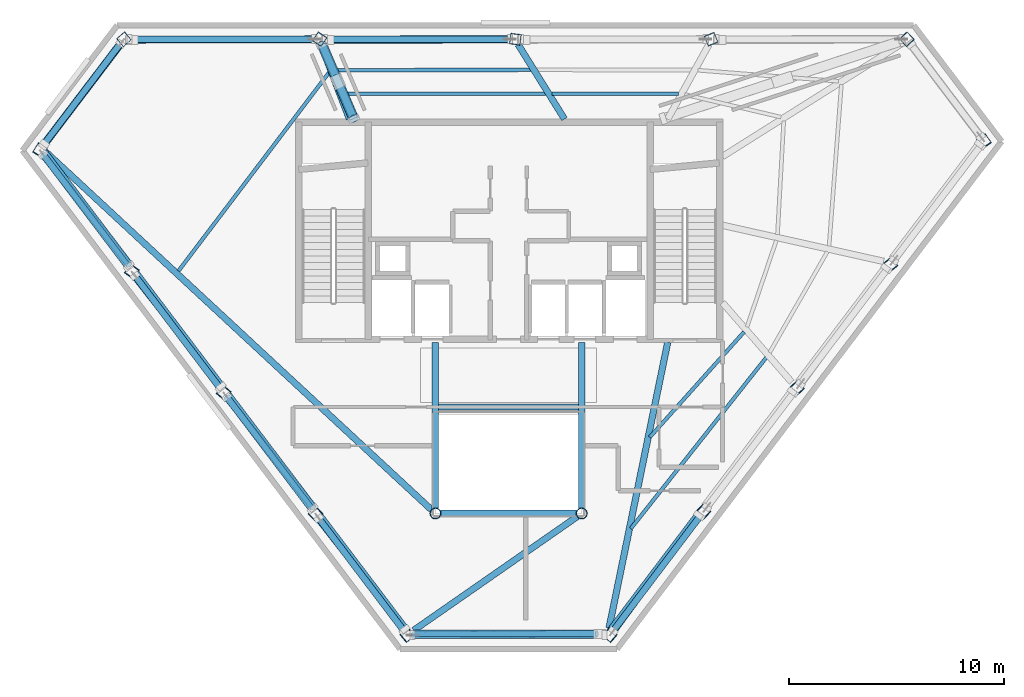
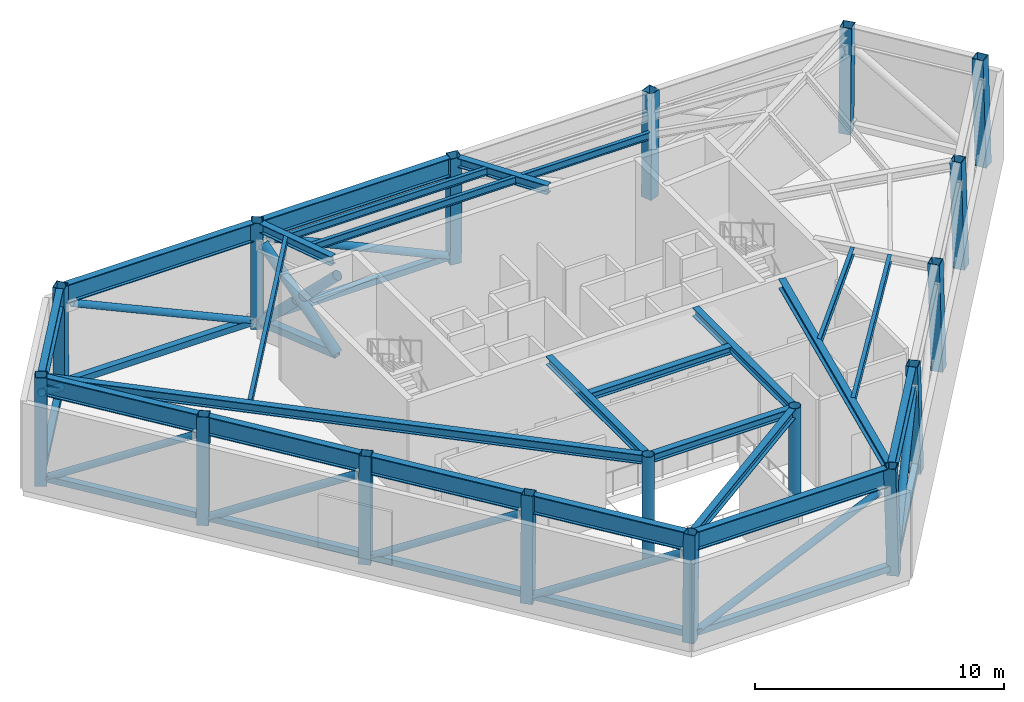
# One storey, part 1 of 9: 24 beams, 22 members, 17 columns.
"""IFC4 building model written with IfcOpenShell, lengths in metres."""

from ifc_helpers import new_model, si_unit, direction, frame, origin, origin_2d, place, context, subcontext, project, spatial, hollow_rectangle, hollow_circle, i_section, extrude, material, material_profile, profile_set, type_object, element, save


model = new_model("IFC4")

# Units and contexts
model_context = context("Model", 3, precision=1e-05, world=origin(), true_north=direction((0.0, 1.0)))
body_context = subcontext(model_context, "Body", "Model", "MODEL_VIEW")
ifc_project = project(units=[si_unit("LENGTHUNIT", "METRE"), si_unit("AREAUNIT", "SQUARE_METRE"), si_unit("VOLUMEUNIT", "CUBIC_METRE"), si_unit("PLANEANGLEUNIT", "RADIAN"), si_unit("MASSUNIT", "GRAM", prefix="KILO")], contexts=[model_context])

# Site, building, storey
site_placement = place(None, origin())
site = spatial("IfcSite", under=ifc_project, at=site_placement, CompositionType="ELEMENT")
building_placement = place(site_placement, origin())
building = spatial("IfcBuilding", under=site, at=building_placement, Name="Zarrinselat Tower", CompositionType="ELEMENT")
storey_placement = place(building_placement, frame((0.0, 0.0, 252.9599609375)))
storey = spatial("IfcBuildingStorey", under=building, at=storey_placement, Name="L64", CompositionType="ELEMENT", Elevation=252.9599609375)

# Columns
ifc_material_1 = material(Name="Steel S355J2", Category="steel")
ifc_material_profile_1 = material_profile(ifc_material_1, hollow_circle(Radius=0.25390625, WallThickness=0.02001953125, at=origin_2d()), Name="CHS 508x20")
ifc_profile_set_1 = profile_set([ifc_material_profile_1], Name="Steel S355J2")
column_type_1 = type_object("IfcColumnType", Name="COL-CHS508", PredefinedType="COLUMN", material=ifc_profile_set_1)
for number, where, z_axis, x_axis, name in (
    (1, (35.0, 25.199951171875, 0.0), (0.0, 0.0, 1.0), (1.0, 0.0, 0.0), "L64 Atrium Corner Column 1"),
    (2, (41.800048828125, 25.199951171875, 0.0), (0.0, 0.0, 1.0), (1.0, 0.0, 0.0), "L64 Atrium Corner Column 2"),
):
    element("IfcColumn", number, at=place(storey_placement, frame(where, z_axis=z_axis, x_axis=x_axis)), inside=storey, type_object=column_type_1, Name=name, PredefinedType="COLUMN", context=body_context, shape_type="SweptSolid", body=[
        extrude(hollow_circle(Radius=0.25390625, WallThickness=0.02001953125, at=origin_2d()), origin(), (0.0, 0.0, 1.0), 5.219970703125),
    ])
ifc_material_2 = material(Name="Steel S355J2", Category="steel")
ifc_material_profile_2 = material_profile(ifc_material_2, hollow_rectangle(XDim=0.5, YDim=0.5, WallThickness=0.02490234375, at=origin_2d()), Name="SHS 500x500x25")
ifc_profile_set_2 = profile_set([ifc_material_profile_2], Name="Steel S355J2")
column_type_2 = type_object("IfcColumnType", Name="COL-SHS500", PredefinedType="COLUMN", material=ifc_profile_set_2)
for number, where, z_axis, x_axis, name in (
    (3, (56.915283203125, 47.255615234375, 0.0), (0.006968442196, -0.00743612288, 0.999948071097), (0.729680302024, 0.683788459129, 0.0), "L64 Framed-Tube Column T01"),
    (4, (47.817138671875, 47.255615234375, 0.0), (0.002993215646, -0.007436270121, 0.999967870757), (0.927669766217, 0.373401666905, 0.0), "L64 Framed-Tube Column T02"),
    (5, (38.718994140625, 47.255615234375, 0.0), (-0.00098215281, -0.007436299846, 0.999971868015), (0.99139051007, -0.130938369255, 0.0), "L64 Framed-Tube Column T03"),
    (6, (29.62060546875, 47.255615234375, 0.0), (-0.004863939678, -0.007436215469, 0.999960521616), (0.836876879263, -0.54739116631, 0.0), "L64 Framed-Tube Column T04"),
    (7, (20.5224609375, 47.255615234375, 0.0), (-0.008839034242, -0.007436012934, 0.999933286367), (0.643761629109, -0.765226087432, 0.0), "L64 Framed-Tube Column T05"),
):
    element("IfcColumn", number, at=place(storey_placement, frame(where, z_axis=z_axis, x_axis=x_axis)), inside=storey, type_object=column_type_2, Name=name, PredefinedType="COLUMN", context=body_context, shape_type="SweptSolid", body=[
        extrude(hollow_rectangle(XDim=0.5, YDim=0.5, WallThickness=0.02490234375, at=origin_2d()), origin(), (0.0, 0.0, 1.0), 5.22021484375),
    ])
column_1_placement = place(storey_placement, frame((16.601318359375, 42.07958984375, 0.0), z_axis=(0.014213047749, 0.022955942253, 0.999635440543), x_axis=(-0.850228241099, 0.526414226668, 0.0)))
element("IfcColumn", 8, at=column_1_placement, inside=storey, type_object=column_type_2, Name="L64 Framed-Tube Column T06", PredefinedType="COLUMN", context=body_context, shape_type="SweptSolid", body=[
    extrude(hollow_rectangle(XDim=0.5, YDim=0.5, WallThickness=0.02490234375, at=origin_2d()), origin(), (0.0, 0.0, 1.0), 5.221923828125),
])
for number, where, z_axis, x_axis, name in (
    (9, (20.870849609375, 36.44384765625, 0.0), (0.015475676842, 0.021273211368, 0.999653917065), (-0.80865922235, 0.588277368347, 0.0), "L64 Framed-Tube Column T07"),
    (10, (25.140380859375, 30.807861328125, 0.0), (0.01673826317, 0.019637068523, 0.999667052616), (-0.761044420914, 0.648699768303, 0.0), "L64 Framed-Tube Column T08"),
    (11, (29.409912109375, 25.172119140625, 0.0), (0.018047576221, 0.017907310085, 0.999676754375), (-0.704342877454, 0.709859923492, 0.0), "L64 Framed-Tube Column T09"),
    (12, (33.6796875, 19.5361328125, 0.0), (0.019263317916, 0.016270957851, 0.999682039707), (-0.645277026023, 0.763948662992, 0.0), "L64 Framed-Tube Column T10"),
    (13, (43.120361328125, 19.5361328125, 0.0), (-0.019263317916, 0.016270957851, 0.999682039707), (-0.645277026023, -0.763948662992, 0.0), "L64 Framed-Tube Column T11"),
    (14, (47.4697265625, 25.27734375, 0.0), (-0.018234626756, 0.017626805864, 0.99967834532), (-0.695022096847, -0.718988376049, 0.0), "L64 Framed-Tube Column T12"),
    (15, (51.819091796875, 31.018310546875, 0.0), (-0.01725263461, 0.018982573581, 0.999670950113), (-0.740022543654, -0.672582065538, 0.0), "L64 Framed-Tube Column T13"),
    (16, (56.168212890625, 36.759521484375, 0.0), (-0.016177126676, 0.020338295099, 0.999662270132), (-0.782620974529, -0.622498522269, 0.0), "L64 Framed-Tube Column T14"),
):
    element("IfcColumn", number, at=place(storey_placement, frame(where, z_axis=z_axis, x_axis=x_axis)), inside=storey, type_object=column_type_2, Name=name, PredefinedType="COLUMN", context=body_context, shape_type="SweptSolid", body=[
        extrude(hollow_rectangle(XDim=0.5, YDim=0.5, WallThickness=0.02490234375, at=origin_2d()), origin(), (0.0, 0.0, 1.0), 5.2216796875),
    ])
column_2_placement = place(storey_placement, frame((60.517578125, 42.50048828125, 0.0), z_axis=(-0.015148320257, 0.021740644813, 0.999648874734), x_axis=(-0.820473405443, -0.571684695405, 0.0)))
element("IfcColumn", 17, at=column_2_placement, inside=storey, type_object=column_type_2, Name="L64 Framed-Tube Column T15", PredefinedType="COLUMN", context=body_context, shape_type="SweptSolid", body=[
    extrude(hollow_rectangle(XDim=0.5, YDim=0.5, WallThickness=0.02490234375, at=origin_2d()), origin(), (0.0, 0.0, 1.0), 5.221923828125),
])

# Beams
ifc_material_3 = material(Name="Steel S355J2", Category="steel")
ifc_material_profile_3 = material_profile(ifc_material_3, i_section(OverallWidth=0.300048828125, OverallDepth=0.35009765625, WebThickness=0.010009765625, FlangeThickness=0.017578125, at=origin_2d()), Name="HEA 360")
ifc_profile_set_3 = profile_set([ifc_material_profile_3], Name="Steel S355J2")
beam_type_1 = type_object("IfcBeamType", Name="BM-HEA360", PredefinedType="LINTEL", material=ifc_profile_set_3)
beam_1_placement = place(storey_placement, frame((35.139892578125, 30.14990234375, 5.044921875), z_axis=(1.0, 0.0, 0.0), x_axis=(0.0, 1.0, 0.0)))
element("IfcBeam", 18, at=beam_1_placement, inside=storey, type_object=beam_type_1, Name="L64 Lift Lobby Ceiling Beam", PredefinedType="LINTEL", context=body_context, shape_type="SweptSolid", body=[
    extrude(i_section(OverallWidth=0.300048828125, OverallDepth=0.35009765625, WebThickness=0.010009765625, FlangeThickness=0.017578125, at=origin_2d()), origin(), (0.0, 0.0, 1.0), 6.52001953125),
])
ifc_material_4 = material(Name="Steel S355J2", Category="steel")
ifc_material_profile_4 = material_profile(ifc_material_4, i_section(OverallWidth=0.300048828125, OverallDepth=0.39990234375, WebThickness=0.013427734375, FlangeThickness=0.02392578125, at=origin_2d()), Name="HEB 400")
ifc_profile_set_4 = profile_set([ifc_material_profile_4], Name="Steel S355J2")
beam_type_2 = type_object("IfcBeamType", Name="BM-HEB400", PredefinedType="BEAM", material=ifc_profile_set_4)
beam_2_placement = place(storey_placement, frame((35.239990234375, 25.199951171875, 5.02001953125), z_axis=(1.0, 0.0, 0.0), x_axis=(0.0, 1.0, 0.0)))
element("IfcBeam", 19, at=beam_2_placement, inside=storey, type_object=beam_type_2, Name="L64 Atrium Edge Beam S", PredefinedType="BEAM", context=body_context, shape_type="SweptSolid", body=[
    extrude(i_section(OverallWidth=0.300048828125, OverallDepth=0.39990234375, WebThickness=0.013427734375, FlangeThickness=0.02392578125, at=origin_2d()), origin(), (0.0, 0.0, 1.0), 6.320068359375),
])
for number, where, z_axis, x_axis, name in (
    (20, (35.0, 25.43994140625, 5.02001953125), (0.0, 1.0, 0.0), (-1.0, 0.0, 0.0), "L64 Atrium Edge Beam W"),
    (21, (41.800048828125, 25.43994140625, 5.02001953125), (0.0, 1.0, 0.0), (-1.0, 0.0, 0.0), "L64 Atrium Edge Beam E"),
):
    element("IfcBeam", number, at=place(storey_placement, frame(where, z_axis=z_axis, x_axis=x_axis)), inside=storey, type_object=beam_type_2, Name=name, PredefinedType="BEAM", context=body_context, shape_type="SweptSolid", body=[
        extrude(i_section(OverallWidth=0.300048828125, OverallDepth=0.39990234375, WebThickness=0.013427734375, FlangeThickness=0.02392578125, at=origin_2d()), origin(), (0.0, 0.0, 1.0), 7.719970703125),
    ])
ifc_material_5 = material(Name="Steel S355J2", Category="steel")
ifc_material_profile_5 = material_profile(ifc_material_5, i_section(OverallWidth=0.300048828125, OverallDepth=0.449951171875, WebThickness=0.013916015625, FlangeThickness=0.02587890625, at=origin_2d()), Name="HEB 450")
ifc_profile_set_5 = profile_set([ifc_material_profile_5], Name="Steel S355J2")
beam_type_3 = type_object("IfcBeamType", Name="BM-HEB450", PredefinedType="BEAM", material=ifc_profile_set_5)
beam_3_placement = place(storey_placement, frame((38.846923828125, 47.002685546875, 4.9951171875), z_axis=(0.528043836267, -0.849217114159, 0.0), x_axis=(0.849217114159, 0.528043836267, 0.0)))
element("IfcBeam", 22, at=beam_3_placement, inside=storey, type_object=beam_type_3, Name="L64 Radial Primary Girder RG03", PredefinedType="BEAM", context=body_context, shape_type="SweptSolid", body=[
    extrude(i_section(OverallWidth=0.300048828125, OverallDepth=0.449951171875, WebThickness=0.013916015625, FlangeThickness=0.02587890625, at=origin_2d()), origin(), (0.0, 0.0, 1.0), 4.077392578125),
])
beam_4_placement = place(storey_placement, frame((29.68505859375, 46.981201171875, 4.9951171875), z_axis=(0.356948692239, -0.934123991293, 0.0), x_axis=(0.934123991293, 0.356948692239, 0.0)))
element("IfcBeam", 23, at=beam_4_placement, inside=storey, type_object=beam_type_3, Name="L64 Radial Primary Girder RG04", PredefinedType="BEAM", context=body_context, shape_type="SweptSolid", body=[
    extrude(i_section(OverallWidth=0.300048828125, OverallDepth=0.449951171875, WebThickness=0.013916015625, FlangeThickness=0.02587890625, at=origin_2d()), origin(), (0.0, 0.0, 1.0), 3.683837890625),
])
beam_5_placement = place(storey_placement, frame((16.860107421875, 42.028076171875, 4.9951171875), z_axis=(0.733118598198, -0.680100816773, 0.0), x_axis=(0.680100816773, 0.733118598198, 0.0)))
element("IfcBeam", 24, at=beam_5_placement, inside=storey, type_object=beam_type_3, Name="L64 Radial Primary Girder RG06", PredefinedType="BEAM", context=body_context, shape_type="SweptSolid", body=[
    extrude(i_section(OverallWidth=0.300048828125, OverallDepth=0.449951171875, WebThickness=0.013916015625, FlangeThickness=0.02587890625, at=origin_2d()), origin(), (0.0, 0.0, 1.0), 24.493408203125),
])
beam_6_placement = place(storey_placement, frame((33.9873046875, 19.764892578125, 4.9951171875), z_axis=(0.82089929517, 0.571072978864, 0.0), x_axis=(-0.571072978864, 0.82089929517, 0.0)))
element("IfcBeam", 25, at=beam_6_placement, inside=storey, type_object=beam_type_3, Name="L64 Radial Primary Girder RG10", PredefinedType="BEAM", context=body_context, shape_type="SweptSolid", body=[
    extrude(i_section(OverallWidth=0.300048828125, OverallDepth=0.449951171875, WebThickness=0.013916015625, FlangeThickness=0.02587890625, at=origin_2d()), origin(), (0.0, 0.0, 1.0), 9.26708984375),
])
beam_7_placement = place(storey_placement, frame((43.0703125, 19.867919921875, 4.9951171875), z_axis=(0.201168590108, 0.979556633561, 0.0), x_axis=(-0.979556633561, 0.201168590108, 0.0)))
element("IfcBeam", 26, at=beam_7_placement, inside=storey, type_object=beam_type_3, Name="L64 Radial Primary Girder RG11", PredefinedType="BEAM", context=body_context, shape_type="SweptSolid", body=[
    extrude(i_section(OverallWidth=0.300048828125, OverallDepth=0.449951171875, WebThickness=0.013916015625, FlangeThickness=0.02587890625, at=origin_2d()), origin(), (0.0, 0.0, 1.0), 13.5693359375),
])
ifc_material_6 = material(Name="Steel S460M", Category="steel")
ifc_material_profile_6 = material_profile(ifc_material_6, i_section(OverallWidth=0.302001953125, OverallDepth=0.909912109375, WebThickness=0.02099609375, FlangeThickness=0.0400390625, at=origin_2d()), Name="HEM 900")
ifc_profile_set_6 = profile_set([ifc_material_profile_6], Name="Steel S460M")
beam_type_4 = type_object("IfcBeamType", Name="BM-HEM900", PredefinedType="BEAM", material=ifc_profile_set_6)
for number, where, z_axis, x_axis, name in (
    (27, (29.8330078125, 47.216796875, 4.76513671875), (1.0, 0.0, 0.0), (0.0, 1.0, 0.0), "L64 Perimeter Spandrel Girder SP03"),
    (28, (20.71435546875, 47.216796875, 4.76513671875), (1.0, 0.0, 0.0), (0.0, 1.0, 0.0), "L64 Perimeter Spandrel Girder SP04"),
):
    element("IfcBeam", number, at=place(storey_placement, frame(where, z_axis=z_axis, x_axis=x_axis)), inside=storey, type_object=beam_type_4, Name=name, PredefinedType="BEAM", context=body_context, shape_type="SweptSolid", body=[
        extrude(i_section(OverallWidth=0.302001953125, OverallDepth=0.909912109375, WebThickness=0.02099609375, FlangeThickness=0.0400390625, at=origin_2d()), origin(), (0.0, 0.0, 1.0), 8.642822265625),
    ])
beam_8_placement = place(storey_placement, frame((16.819091796875, 42.38916015625, 4.76513671875), z_axis=(0.603839915013, 0.797105612223, 0.0), x_axis=(-0.797105612223, 0.603839915013, 0.0)))
element("IfcBeam", 29, at=beam_8_placement, inside=storey, type_object=beam_type_4, Name="L64 Perimeter Spandrel Girder SP05", PredefinedType="BEAM", context=body_context, shape_type="SweptSolid", body=[
    extrude(i_section(OverallWidth=0.302001953125, OverallDepth=0.909912109375, WebThickness=0.02099609375, FlangeThickness=0.0400390625, at=origin_2d()), origin(), (0.0, 0.0, 1.0), 5.818359375),
])
beam_9_placement = place(storey_placement, frame((16.819091796875, 42.009765625, 4.76513671875), z_axis=(0.603884016578, -0.797072201574, 0.0), x_axis=(0.797072201574, 0.603884016578, 0.0)))
element("IfcBeam", 30, at=beam_9_placement, inside=storey, type_object=beam_type_4, Name="L64 Perimeter Spandrel Girder SP06", PredefinedType="BEAM", context=body_context, shape_type="SweptSolid", body=[
    extrude(i_section(OverallWidth=0.302001953125, OverallDepth=0.909912109375, WebThickness=0.02099609375, FlangeThickness=0.0400390625, at=origin_2d()), origin(), (0.0, 0.0, 1.0), 6.605712890625),
])
beam_10_placement = place(storey_placement, frame((21.095458984375, 36.365234375, 4.76513671875), z_axis=(0.603860534424, -0.797089991761, 0.0), x_axis=(0.797089991761, 0.603860534424, 0.0)))
element("IfcBeam", 31, at=beam_10_placement, inside=storey, type_object=beam_type_4, Name="L64 Perimeter Spandrel Girder SP07", PredefinedType="BEAM", context=body_context, shape_type="SweptSolid", body=[
    extrude(i_section(OverallWidth=0.302001953125, OverallDepth=0.909912109375, WebThickness=0.02099609375, FlangeThickness=0.0400390625, at=origin_2d()), origin(), (0.0, 0.0, 1.0), 6.60546875),
])
for number, where, z_axis, x_axis, name in (
    (32, (25.37158203125, 30.720703125, 4.76513671875), (0.60384274456, -0.797103468718, 0.0), (0.797103468718, 0.60384274456, 0.0), "L64 Perimeter Spandrel Girder SP08"),
    (33, (29.647705078125, 25.075927734375, 4.76513671875), (0.603884016578, -0.797072201574, 0.0), (0.797072201574, 0.603884016578, 0.0), "L64 Perimeter Spandrel Girder SP09"),
):
    element("IfcBeam", number, at=place(storey_placement, frame(where, z_axis=z_axis, x_axis=x_axis)), inside=storey, type_object=beam_type_4, Name=name, PredefinedType="BEAM", context=body_context, shape_type="SweptSolid", body=[
        extrude(i_section(OverallWidth=0.302001953125, OverallDepth=0.909912109375, WebThickness=0.02099609375, FlangeThickness=0.0400390625, at=origin_2d()), origin(), (0.0, 0.0, 1.0), 6.605712890625),
    ])
beam_11_placement = place(storey_placement, frame((34.018310546875, 19.62109375, 4.76513671875), z_axis=(1.0, 0.0, 0.0), x_axis=(0.0, 1.0, 0.0)))
element("IfcBeam", 34, at=beam_11_placement, inside=storey, type_object=beam_type_4, Name="L64 Perimeter Spandrel Girder SP10", PredefinedType="BEAM", context=body_context, shape_type="SweptSolid", body=[
    extrude(i_section(OverallWidth=0.302001953125, OverallDepth=0.909912109375, WebThickness=0.02099609375, FlangeThickness=0.0400390625, at=origin_2d()), origin(), (0.0, 0.0, 1.0), 8.763427734375),
])
beam_12_placement = place(storey_placement, frame((43.163330078125, 19.810791015625, 4.76513671875), z_axis=(0.603861177265, 0.797089504756, 0.0), x_axis=(-0.797089504756, 0.603861177265, 0.0)))
element("IfcBeam", 35, at=beam_12_placement, inside=storey, type_object=beam_type_4, Name="L64 Perimeter Spandrel Girder SP11", PredefinedType="BEAM", context=body_context, shape_type="SweptSolid", body=[
    extrude(i_section(OverallWidth=0.302001953125, OverallDepth=0.909912109375, WebThickness=0.02099609375, FlangeThickness=0.0400390625, at=origin_2d()), origin(), (0.0, 0.0, 1.0), 6.735595703125),
])
ifc_material_7 = material(Name="Steel S355J2", Category="steel")
ifc_material_profile_7 = material_profile(ifc_material_7, i_section(OverallWidth=0.169921875, OverallDepth=0.360107421875, WebThickness=0.008056640625, FlangeThickness=0.0126953125, at=origin_2d()), Name="IPE 360")
ifc_profile_set_7 = profile_set([ifc_material_profile_7], Name="Steel S355J2")
beam_type_5 = type_object("IfcBeamType", Name="BM-IPE360", PredefinedType="JOIST", material=ifc_profile_set_7)
beam_13_placement = place(storey_placement, frame((44.08544921875, 24.4970703125, 5.0400390625), z_axis=(0.620693700803, 0.784053142194, 0.0), x_axis=(-0.784053142194, 0.620693700803, 0.0)))
element("IfcBeam", 36, at=beam_13_placement, inside=storey, type_object=beam_type_5, Name="L64 Composite Floor Joist 3-1", PredefinedType="JOIST", context=body_context, shape_type="SweptSolid", body=[
    extrude(i_section(OverallWidth=0.169921875, OverallDepth=0.360107421875, WebThickness=0.008056640625, FlangeThickness=0.0126953125, at=origin_2d()), origin(), (0.0, 0.0, 1.0), 10.147705078125),
])
beam_14_placement = place(storey_placement, frame((44.96533203125, 28.7451171875, 5.0400390625), z_axis=(0.667137958681, 0.744934187755, 0.0), x_axis=(-0.744934187755, 0.667137958681, 0.0)))
element("IfcBeam", 37, at=beam_14_placement, inside=storey, type_object=beam_type_5, Name="L64 Composite Floor Joist 3-2", PredefinedType="JOIST", context=body_context, shape_type="SweptSolid", body=[
    extrude(i_section(OverallWidth=0.169921875, OverallDepth=0.360107421875, WebThickness=0.008056640625, FlangeThickness=0.0126953125, at=origin_2d()), origin(), (0.0, 0.0, 1.0), 6.5712890625),
])
beam_15_placement = place(storey_placement, frame((40.407958984375, 44.71728515625, 5.0400390625), z_axis=(0.999999930696, -0.000372300793, 0.0), x_axis=(0.000372300793, 0.999999930696, 0.0)))
element("IfcBeam", 38, at=beam_15_placement, inside=storey, type_object=beam_type_5, Name="L64 Composite Floor Joist 7-2", PredefinedType="JOIST", context=body_context, shape_type="SweptSolid", body=[
    extrude(i_section(OverallWidth=0.169921875, OverallDepth=0.360107421875, WebThickness=0.008056640625, FlangeThickness=0.0126953125, at=origin_2d()), origin(), (0.0, 0.0, 1.0), 5.90185546875),
])
beam_16_placement = place(storey_placement, frame((30.272216796875, 45.8115234375, 5.0400390625), z_axis=(0.999998887769, 0.001491462373, 0.0), x_axis=(-0.001491462373, 0.999998887769, 0.0)))
element("IfcBeam", 39, at=beam_16_placement, inside=storey, type_object=beam_type_5, Name="L64 Composite Floor Joist 8-1", PredefinedType="JOIST", context=body_context, shape_type="SweptSolid", body=[
    extrude(i_section(OverallWidth=0.169921875, OverallDepth=0.360107421875, WebThickness=0.008056640625, FlangeThickness=0.0126953125, at=origin_2d()), origin(), (0.0, 0.0, 1.0), 9.166748046875),
])
beam_17_placement = place(storey_placement, frame((30.69287109375, 44.710205078125, 5.0400390625), z_axis=(0.999999718449, 0.000750400865, 0.0), x_axis=(-0.000750400865, 0.999999718449, 0.0)))
element("IfcBeam", 40, at=beam_17_placement, inside=storey, type_object=beam_type_5, Name="L64 Composite Floor Joist 8-2", PredefinedType="JOIST", context=body_context, shape_type="SweptSolid", body=[
    extrude(i_section(OverallWidth=0.169921875, OverallDepth=0.360107421875, WebThickness=0.008056640625, FlangeThickness=0.0126953125, at=origin_2d()), origin(), (0.0, 0.0, 1.0), 9.43505859375),
])
beam_18_placement = place(storey_placement, frame((23.050048828125, 36.475830078125, 5.0400390625), z_axis=(0.604393865756, 0.796685668904, 0.0), x_axis=(-0.796685668904, 0.604393865756, 0.0)))
element("IfcBeam", 41, at=beam_18_placement, inside=storey, type_object=beam_type_5, Name="L64 Composite Floor Joist 9-1", PredefinedType="JOIST", context=body_context, shape_type="SweptSolid", body=[
    extrude(i_section(OverallWidth=0.169921875, OverallDepth=0.360107421875, WebThickness=0.008056640625, FlangeThickness=0.0126953125, at=origin_2d()), origin(), (0.0, 0.0, 1.0), 11.577880859375),
])

# Members
ifc_material_8 = material(Name="Steel S355J2", Category="steel")
ifc_material_profile_8 = material_profile(ifc_material_8, hollow_circle(Radius=0.177734375, WallThickness=0.01416015625, at=origin_2d()), Name="CHS 355.6x14.2")
ifc_profile_set_8 = profile_set([ifc_material_profile_8], Name="Steel S355J2")
member_type_1 = type_object("IfcMemberType", Name="MEM-BELT-BR1", PredefinedType="BRACE", material=ifc_profile_set_8)
member_1_placement = place(storey_placement, frame((38.45654296875, 47.2529296875, 0.35009765625), z_axis=(-0.909312783351, -0.003092900624, 0.416101785625), x_axis=(0.003401340869, -0.999994215423, 0.0)))
element("IfcMember", 42, at=member_1_placement, inside=storey, type_object=member_type_1, Name="L64 Perimeter Belt Truss Diagonal 3", PredefinedType="BRACE", context=body_context, shape_type="SweptSolid", body=[
    extrude(hollow_circle(Radius=0.177734375, WallThickness=0.01416015625, at=origin_2d()), origin(), (0.0, 0.0, 1.0), 9.156494140625),
])
member_2_placement = place(storey_placement, frame((20.361083984375, 47.044189453125, 0.35009765625), z_axis=(-0.50644946684, -0.666275659388, 0.547344209108), x_axis=(0.796116161609, -0.605143831849, 0.0)))
element("IfcMember", 43, at=member_2_placement, inside=storey, type_object=member_type_1, Name="L64 Perimeter Belt Truss Diagonal 5", PredefinedType="BRACE", context=body_context, shape_type="SweptSolid", body=[
    extrude(hollow_circle(Radius=0.177734375, WallThickness=0.01416015625, at=origin_2d()), origin(), (0.0, 0.0, 1.0), 6.9609375),
])
member_3_placement = place(storey_placement, frame((21.034423828125, 36.242431640625, 0.35009765625), z_axis=(0.531026827534, -0.679873783402, 0.505749094989), x_axis=(0.788094420203, 0.615554371965, 0.0)))
element("IfcMember", 44, at=member_3_placement, inside=storey, type_object=member_type_1, Name="L64 Perimeter Belt Truss Diagonal 7", PredefinedType="BRACE", context=body_context, shape_type="SweptSolid", body=[
    extrude(hollow_circle(Radius=0.177734375, WallThickness=0.01416015625, at=origin_2d()), origin(), (0.0, 0.0, 1.0), 7.533447265625),
])
member_4_placement = place(storey_placement, frame((29.574462890625, 24.969482421875, 0.35009765625), z_axis=(0.531348280633, -0.680310829781, 0.504822919004), x_axis=(0.788105608728, 0.615540047024, 0.0)))
element("IfcMember", 45, at=member_4_placement, inside=storey, type_object=member_type_1, Name="L64 Perimeter Belt Truss Diagonal 9", PredefinedType="BRACE", context=body_context, shape_type="SweptSolid", body=[
    extrude(hollow_circle(Radius=0.177734375, WallThickness=0.01416015625, at=origin_2d()), origin(), (0.0, 0.0, 1.0), 7.54736328125),
])
member_5_placement = place(storey_placement, frame((43.27197265625, 19.750732421875, 0.35009765625), z_axis=(0.514169299258, 0.699448369359, 0.496388870042), x_axis=(-0.805723012031, 0.592292518849, 0.0)))
element("IfcMember", 46, at=member_5_placement, inside=storey, type_object=member_type_1, Name="L64 Perimeter Belt Truss Diagonal 11", PredefinedType="BRACE", context=body_context, shape_type="SweptSolid", body=[
    extrude(hollow_circle(Radius=0.177734375, WallThickness=0.01416015625, at=origin_2d()), origin(), (0.0, 0.0, 1.0), 7.675537109375),
])
ifc_material_9 = material(Name="Steel S355J2", Category="steel")
ifc_material_profile_9 = material_profile(ifc_material_9, hollow_circle(Radius=0.161865234375, WallThickness=0.012451171875, at=origin_2d()), Name="CHS 323.9x12.5")
ifc_profile_set_9 = profile_set([ifc_material_profile_9], Name="Steel S355J2")
member_type_2 = type_object("IfcMemberType", Name="MEM-BELT-BR2", PredefinedType="BRACE", material=ifc_profile_set_9)
member_6_placement = place(storey_placement, frame((29.35693359375, 47.2529296875, 0.35009765625), z_axis=(-0.909598374232, -0.003088257666, 0.415477147698), x_axis=(0.00339516863, -0.999994236398, 0.0)))
element("IfcMember", 47, at=member_6_placement, inside=storey, type_object=member_type_2, Name="L64 Perimeter Belt Truss Diagonal 4", PredefinedType="BRACE", context=body_context, shape_type="SweptSolid", body=[
    extrude(hollow_circle(Radius=0.161865234375, WallThickness=0.012451171875, at=origin_2d()), origin(), (0.0, 0.0, 1.0), 9.17041015625),
])
member_7_placement = place(storey_placement, frame((16.764404296875, 41.87890625, 0.35009765625), z_axis=(0.530888723186, -0.679642660042, 0.50620452215), x_axis=(0.78807055888, 0.615584920402, 0.0)))
element("IfcMember", 48, at=member_7_placement, inside=storey, type_object=member_type_2, Name="L64 Perimeter Belt Truss Diagonal 6", PredefinedType="BRACE", context=body_context, shape_type="SweptSolid", body=[
    extrude(hollow_circle(Radius=0.161865234375, WallThickness=0.012451171875, at=origin_2d()), origin(), (0.0, 0.0, 1.0), 7.526611328125),
])
member_8_placement = place(storey_placement, frame((25.3046875, 30.60595703125, 0.35009765625), z_axis=(0.531164535328, -0.680104301406, 0.505294345524), x_axis=(0.788118222715, 0.615523896388, 0.0)))
element("IfcMember", 49, at=member_8_placement, inside=storey, type_object=member_type_2, Name="L64 Perimeter Belt Truss Diagonal 8", PredefinedType="BRACE", context=body_context, shape_type="SweptSolid", body=[
    extrude(hollow_circle(Radius=0.161865234375, WallThickness=0.012451171875, at=origin_2d()), origin(), (0.0, 0.0, 1.0), 7.540283203125),
])
member_9_placement = place(storey_placement, frame((33.948486328125, 19.5419921875, 0.35009765625), z_axis=(0.91359591035, 0.006617239684, 0.406569458678), x_axis=(-0.00724288062, 0.999973769996, 0.0)))
element("IfcMember", 50, at=member_9_placement, inside=storey, type_object=member_type_2, Name="L64 Perimeter Belt Truss Diagonal 10", PredefinedType="BRACE", context=body_context, shape_type="SweptSolid", body=[
    extrude(hollow_circle(Radius=0.161865234375, WallThickness=0.012451171875, at=origin_2d()), origin(), (0.0, 0.0, 1.0), 9.371337890625),
])
ifc_material_10 = material(Name="Steel S460M", Category="steel")
ifc_material_profile_10 = material_profile(ifc_material_10, hollow_rectangle(XDim=0.300048828125, YDim=0.300048828125, WallThickness=0.01611328125, at=origin_2d()), Name="SHS 300x300x16")
ifc_profile_set_10 = profile_set([ifc_material_profile_10], Name="Steel S460M")
member_type_3 = type_object("IfcMemberType", Name="MEM-BELT-CHORD", PredefinedType="CHORD", material=ifc_profile_set_10)
for number, where, z_axis, x_axis, name in (
    (51, (38.45654296875, 47.2529296875, 0.35009765625), (-1.0, 0.0, 0.0), (0.0, -1.0, 0.0), "L64 Perimeter Belt Truss Chord 3"),
    (52, (29.35693359375, 47.2529296875, 0.35009765625), (-1.0, 0.0, 0.0), (0.0, -1.0, 0.0), "L64 Perimeter Belt Truss Chord 4"),
):
    element("IfcMember", number, at=place(storey_placement, frame(where, z_axis=z_axis, x_axis=x_axis)), inside=storey, type_object=member_type_3, Name=name, PredefinedType="CHORD", context=body_context, shape_type="SweptSolid", body=[
        extrude(hollow_rectangle(XDim=0.300048828125, YDim=0.300048828125, WallThickness=0.01611328125, at=origin_2d()), origin(), (0.0, 0.0, 1.0), 8.575439453125),
    ])
member_10_placement = place(storey_placement, frame((20.361083984375, 47.044189453125, 0.35009765625), z_axis=(-0.603842693843, -0.797103507138, 0.0), x_axis=(0.797103507138, -0.603842693843, 0.0)))
element("IfcMember", 53, at=member_10_placement, inside=storey, type_object=member_type_3, Name="L64 Perimeter Belt Truss Chord 5", PredefinedType="CHORD", context=body_context, shape_type="SweptSolid", body=[
    extrude(hollow_rectangle(XDim=0.300048828125, YDim=0.300048828125, WallThickness=0.01611328125, at=origin_2d()), origin(), (0.0, 0.0, 1.0), 5.956298828125),
])
for number, where, z_axis, x_axis, name in (
    (54, (16.764404296875, 41.87890625, 0.35009765625), (0.603859123863, -0.797091060374, 0.0), (0.797091060374, 0.603859123863, 0.0), "L64 Perimeter Belt Truss Chord 6"),
    (55, (21.034423828125, 36.242431640625, 0.35009765625), (0.603859123863, -0.797091060374, 0.0), (0.797091060374, 0.603859123863, 0.0), "L64 Perimeter Belt Truss Chord 7"),
):
    element("IfcMember", number, at=place(storey_placement, frame(where, z_axis=z_axis, x_axis=x_axis)), inside=storey, type_object=member_type_3, Name=name, PredefinedType="CHORD", context=body_context, shape_type="SweptSolid", body=[
        extrude(hollow_rectangle(XDim=0.300048828125, YDim=0.300048828125, WallThickness=0.01611328125, at=origin_2d()), origin(), (0.0, 0.0, 1.0), 6.54736328125),
    ])
member_11_placement = place(storey_placement, frame((25.3046875, 30.60595703125, 0.35009765625), z_axis=(0.6038354313, -0.797109008798, 0.0), x_axis=(0.797109008798, 0.6038354313, 0.0)))
element("IfcMember", 56, at=member_11_placement, inside=storey, type_object=member_type_3, Name="L64 Perimeter Belt Truss Chord 8", PredefinedType="CHORD", context=body_context, shape_type="SweptSolid", body=[
    extrude(hollow_rectangle(XDim=0.300048828125, YDim=0.300048828125, WallThickness=0.01611328125, at=origin_2d()), origin(), (0.0, 0.0, 1.0), 6.547119140625),
])
member_12_placement = place(storey_placement, frame((29.574462890625, 24.969482421875, 0.35009765625), z_axis=(0.603859123863, -0.797091060374, 0.0), x_axis=(0.797091060374, 0.603859123863, 0.0)))
element("IfcMember", 57, at=member_12_placement, inside=storey, type_object=member_type_3, Name="L64 Perimeter Belt Truss Chord 9", PredefinedType="CHORD", context=body_context, shape_type="SweptSolid", body=[
    extrude(hollow_rectangle(XDim=0.300048828125, YDim=0.300048828125, WallThickness=0.01611328125, at=origin_2d()), origin(), (0.0, 0.0, 1.0), 6.54736328125),
])
member_13_placement = place(storey_placement, frame((33.948486328125, 19.5419921875, 0.35009765625), z_axis=(1.0, 0.0, 0.0), x_axis=(0.0, 1.0, 0.0)))
element("IfcMember", 58, at=member_13_placement, inside=storey, type_object=member_type_3, Name="L64 Perimeter Belt Truss Chord 10", PredefinedType="CHORD", context=body_context, shape_type="SweptSolid", body=[
    extrude(hollow_rectangle(XDim=0.300048828125, YDim=0.300048828125, WallThickness=0.01611328125, at=origin_2d()), origin(), (0.0, 0.0, 1.0), 8.903076171875),
])
member_14_placement = place(storey_placement, frame((43.27197265625, 19.750732421875, 0.35009765625), z_axis=(0.603847131652, 0.797100145274, 0.0), x_axis=(-0.797100145274, 0.603847131652, 0.0)))
element("IfcMember", 59, at=member_14_placement, inside=storey, type_object=member_type_3, Name="L64 Perimeter Belt Truss Chord 11", PredefinedType="CHORD", context=body_context, shape_type="SweptSolid", body=[
    extrude(hollow_rectangle(XDim=0.300048828125, YDim=0.300048828125, WallThickness=0.01611328125, at=origin_2d()), origin(), (0.0, 0.0, 1.0), 6.67919921875),
])
ifc_material_11 = material(Name="Steel S460M", Category="steel")
ifc_material_profile_11 = material_profile(ifc_material_11, hollow_circle(Radius=0.228515625, WallThickness=0.01611328125, at=origin_2d()), Name="CHS 457x16")
ifc_profile_set_11 = profile_set([ifc_material_profile_11], Name="Steel S460M")
member_type_4 = type_object("IfcMemberType", Name="MEM-OUTRIGGER-BR1", PredefinedType="BRACE", material=ifc_profile_set_11)
member_15_placement = place(storey_placement, frame((31.199951171875, 43.56201171875, 0.35009765625), z_axis=(-0.275619562013, 0.64344789332, 0.714148909975), x_axis=(-0.919219404375, -0.393745713146, 0.0)))
element("IfcMember", 60, at=member_15_placement, inside=storey, type_object=member_type_4, Name="L64 Outrigger Truss Primary Diagonal NW1", PredefinedType="BRACE", context=body_context, shape_type="SweptSolid", body=[
    extrude(hollow_circle(Radius=0.228515625, WallThickness=0.01611328125, at=origin_2d()), origin(), (0.0, 0.0, 1.0), 5.335205078125),
])
member_16_placement = place(storey_placement, frame((29.72216796875, 47.01220703125, 0.35009765625), z_axis=(0.276341390246, -0.645096948318, 0.712380069421), x_axis=(0.919211431477, 0.393764325761, 0.0)))
element("IfcMember", 61, at=member_16_placement, inside=storey, type_object=member_type_4, Name="L64 Outrigger Truss Split Diagonal NW2A", PredefinedType="BRACE", context=body_context, shape_type="SweptSolid", body=[
    extrude(hollow_circle(Radius=0.228515625, WallThickness=0.01611328125, at=origin_2d()), origin(), (0.0, 0.0, 1.0), 2.4384765625),
])
member_17_placement = place(storey_placement, frame((30.52978515625, 45.126220703125, 2.4326171875), z_axis=(0.276365615723, -0.645054462637, 0.712409142753), x_axis=(0.919189548218, 0.393815406564, 0.0)))
element("IfcMember", 62, at=member_17_placement, inside=storey, type_object=member_type_4, Name="L64 Outrigger Truss Split Diagonal NW2B", PredefinedType="BRACE", context=body_context, shape_type="SweptSolid", body=[
    extrude(hollow_circle(Radius=0.228515625, WallThickness=0.01611328125, at=origin_2d()), origin(), (0.0, 0.0, 1.0), 2.4248046875),
])
ifc_material_12 = material(Name="Steel S460M", Category="steel")
ifc_material_profile_12 = material_profile(ifc_material_12, hollow_rectangle(XDim=0.35009765625, YDim=0.35009765625, WallThickness=0.01611328125, at=origin_2d()), Name="SHS 350x350x16")
ifc_profile_set_12 = profile_set([ifc_material_profile_12], Name="Steel S460M")
member_type_5 = type_object("IfcMemberType", Name="MEM-OUTRIGGER-CHORD", PredefinedType="CHORD", material=ifc_profile_set_12)
member_18_placement = place(storey_placement, frame((31.199951171875, 43.56201171875, 0.35009765625), z_axis=(-0.39372303032, 0.919229120185, 0.0), x_axis=(-0.919229120185, -0.39372303032, 0.0)))
element("IfcMember", 63, at=member_18_placement, inside=storey, type_object=member_type_5, Name="L64 Outrigger Truss Bottom Chord NW", PredefinedType="CHORD", context=body_context, shape_type="SweptSolid", body=[
    extrude(hollow_rectangle(XDim=0.35009765625, YDim=0.35009765625, WallThickness=0.01611328125, at=origin_2d()), origin(), (0.0, 0.0, 1.0), 3.75341796875),
])

save(model, "model.ifc")
